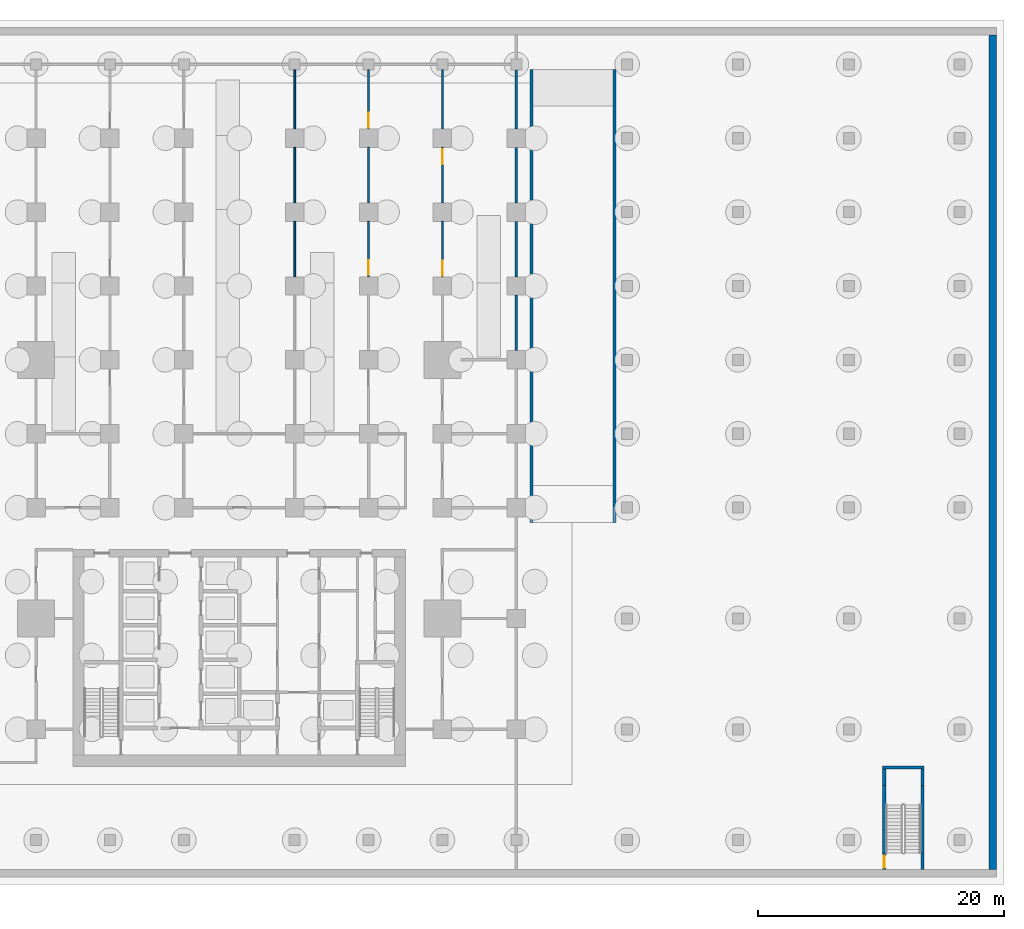
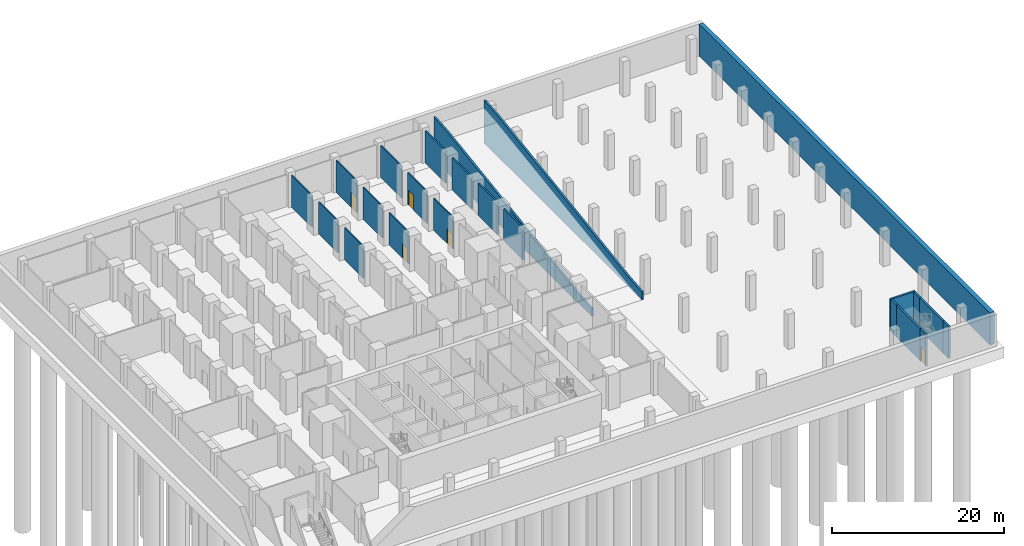
# One storey, part 9 of 12: 23 walls, 5 doors, 5 openings.
"""IFC4 building model written with IfcOpenShell, lengths in metres."""

from ifc_helpers import new_model, si_unit, direction, frame, frame_2d, origin, place, context, subcontext, project, spatial, polyline, rectangle, outline, extrude, material, layer, layer_set, type_object, element, fill, save


model = new_model("IFC4")

# Units and contexts
model_context = context("Model", 3, precision=1e-05, world=origin(), true_north=direction((0.0, 1.0)))
body_context = subcontext(model_context, "Body", "Model", "MODEL_VIEW")
ifc_project = project(units=[si_unit("LENGTHUNIT", "METRE"), si_unit("AREAUNIT", "SQUARE_METRE"), si_unit("VOLUMEUNIT", "CUBIC_METRE"), si_unit("PLANEANGLEUNIT", "RADIAN"), si_unit("MASSUNIT", "GRAM", prefix="KILO")], contexts=[model_context])

# Site, building, storey
site_placement = place(None, origin())
site = spatial("IfcSite", under=ifc_project, at=site_placement, CompositionType="ELEMENT")
building_placement = place(site_placement, origin())
building = spatial("IfcBuilding", under=site, at=building_placement, Name="Finial Court Residences", CompositionType="ELEMENT")
storey_placement = place(building_placement, frame((0.0, 0.0, -5.0)))
storey = spatial("IfcBuildingStorey", under=building, at=storey_placement, Name="B1", CompositionType="ELEMENT", Elevation=-5.0)

# Walls
ifc_material_1 = material(Name="Concrete C25/30", Category="concrete")
ifc_layer_1 = layer(ifc_material_1, 0.14990234375)
ifc_layer_set_1 = layer_set([ifc_layer_1], Name="Basement partition 150 Concrete C25/30")
wall_type_1 = type_object("IfcWallType", Name="Basement partition 150 Concrete C25/30", PredefinedType="PARTITIONING", material=ifc_layer_set_1)
for number, where, z_axis, x_axis, name in (
    (1, (4.5, 14.25, 0.0), (0.0, 0.0, 1.0), (0.0, 1.0, 0.0), "Basement partition B1-V078"),
    (2, (4.5, 20.25, 0.0), (0.0, 0.0, 1.0), (0.0, 1.0, 0.0), "Basement partition B1-V079"),
):
    element("IfcWall", number, at=place(storey_placement, frame(where, z_axis=z_axis, x_axis=x_axis)), inside=storey, type_object=wall_type_1, Name=name, PredefinedType="PARTITIONING", context=body_context, shape_type="SweptSolid", body=[
        extrude(rectangle(XDim=4.5, YDim=0.14990234375, at=frame_2d((2.25, 0.0))), origin(), (0.0, 0.0, 1.0), 4.550048828125),
    ])
wall_1_placement = place(storey_placement, frame((4.5, 26.25, 0.0), z_axis=(0.0, 0.0, 1.0), x_axis=(0.0, 1.0, 0.0)))
element("IfcWall", 3, at=wall_1_placement, inside=storey, type_object=wall_type_1, Name="Basement partition B1-V080", PredefinedType="PARTITIONING", context=body_context, shape_type="SweptSolid", body=[
    extrude(rectangle(XDim=4.800048828125, YDim=0.14990234375, at=frame_2d((2.39990234375, 0.0))), origin(), (0.0, 0.0, 1.0), 4.550048828125),
])

# Wall, opening, door
wall_2_placement = place(storey_placement, frame((10.5, 18.75, 0.0), z_axis=(0.0, 0.0, 1.0), x_axis=(0.0, -1.0, 0.0)))
wall_2 = element("IfcWall", 4, at=wall_2_placement, inside=storey, type_object=wall_type_1, Name="Basement partition B1-V084", PredefinedType="PARTITIONING", context=body_context, shape_type="SweptSolid", body=[
    extrude(rectangle(XDim=4.5, YDim=0.14990234375, at=frame_2d((2.25, 0.0))), origin(), (0.0, 0.0, 1.0), 4.550048828125),
])
opening_1_placement = place(wall_2_placement, frame((3.14990234375, 0.0, 0.0)))
opening_1 = element("IfcOpeningElement", 5, at=opening_1_placement, cuts=wall_2, Name="Opening B1-V16", PredefinedType="OPENING", context=body_context, shape_type="SweptSolid", body=[
    extrude(rectangle(XDim=1.199951171875, YDim=2.10009765625, at=frame_2d((0.60009765625, 1.050048828125))), frame((0.0, 0.0849609375, 0.0), z_axis=(0.0, -1.0, 0.0), x_axis=(1.0, 0.0, 0.0)), (0.0, 0.0, 1.0), 0.169921875),
])
ifc_material_2 = material(Name="Steel fire door", Category="steel")
door_type_1 = type_object("IfcDoorType", Name="Bicycle store door 1200 x 2100 EI 60", OperationType="NOTDEFINED", PredefinedType="DOOR", material=ifc_material_2)
door_1_placement = place(opening_1_placement, origin())
door_1 = element("IfcDoor", 6, at=door_1_placement, inside=storey, type_object=door_type_1, Name="Bicycle store door B1-V16", OperationType="SINGLE_SWING_LEFT", OverallHeight=2.10009765625, OverallWidth=1.199951171875, PredefinedType="DOOR", context=body_context, shape_type="SweptSolid", body=[
    extrude(rectangle(XDim=1.199951171875, YDim=2.10009765625, at=frame_2d((0.60009765625, 1.050048828125))), frame((0.0, 0.02490234375, 0.0), z_axis=(0.0, -1.0, 0.0), x_axis=(1.0, 0.0, 0.0)), (0.0, 0.0, 1.0), 0.050048828125),
])
fill(opening_1, door_1)

# Wall
wall_3_placement = place(storey_placement, frame((10.5, 20.25, 0.0), z_axis=(0.0, 0.0, 1.0), x_axis=(0.0, 1.0, 0.0)))
element("IfcWall", 7, at=wall_3_placement, inside=storey, type_object=wall_type_1, Name="Basement partition B1-V085", PredefinedType="PARTITIONING", context=body_context, shape_type="SweptSolid", body=[
    extrude(rectangle(XDim=4.5, YDim=0.14990234375, at=frame_2d((2.25, 0.0))), origin(), (0.0, 0.0, 1.0), 4.550048828125),
])

# Wall, opening, door
wall_4_placement = place(storey_placement, frame((10.5, 31.050048828125, 0.0), z_axis=(0.0, 0.0, 1.0), x_axis=(0.0, -1.0, 0.0)))
wall_4 = element("IfcWall", 8, at=wall_4_placement, inside=storey, type_object=wall_type_1, Name="Basement partition B1-V086", PredefinedType="PARTITIONING", context=body_context, shape_type="SweptSolid", body=[
    extrude(rectangle(XDim=4.800048828125, YDim=0.14990234375, at=frame_2d((2.39990234375, 0.0))), origin(), (0.0, 0.0, 1.0), 4.550048828125),
])
opening_2_placement = place(wall_4_placement, frame((3.5, 0.0, 0.0)))
opening_2 = element("IfcOpeningElement", 9, at=opening_2_placement, cuts=wall_4, Name="Opening B1-V17", PredefinedType="OPENING", context=body_context, shape_type="SweptSolid", body=[
    extrude(rectangle(XDim=1.199951171875, YDim=2.10009765625, at=frame_2d((0.60009765625, 1.050048828125))), frame((0.0, 0.0849609375, 0.0), z_axis=(0.0, -1.0, 0.0), x_axis=(1.0, 0.0, 0.0)), (0.0, 0.0, 1.0), 0.169921875),
])
door_2_placement = place(opening_2_placement, origin())
door_2 = element("IfcDoor", 10, at=door_2_placement, inside=storey, type_object=door_type_1, Name="Bicycle store door B1-V17", OperationType="SINGLE_SWING_LEFT", OverallHeight=2.10009765625, OverallWidth=1.199951171875, PredefinedType="DOOR", context=body_context, shape_type="SweptSolid", body=[
    extrude(rectangle(XDim=1.199951171875, YDim=2.10009765625, at=frame_2d((0.60009765625, 1.050048828125))), frame((0.0, 0.02490234375, 0.0), z_axis=(0.0, -1.0, 0.0), x_axis=(1.0, 0.0, 0.0)), (0.0, 0.0, 1.0), 0.050048828125),
])
fill(opening_2, door_2)

wall_5_placement = place(storey_placement, frame((16.5, 14.25, 0.0), z_axis=(0.0, 0.0, 1.0), x_axis=(0.0, 1.0, 0.0)))
wall_5 = element("IfcWall", 11, at=wall_5_placement, inside=storey, type_object=wall_type_1, Name="Basement partition B1-V093", PredefinedType="PARTITIONING", context=body_context, shape_type="SweptSolid", body=[
    extrude(rectangle(XDim=4.5, YDim=0.14990234375, at=frame_2d((2.25, 0.0))), origin(), (0.0, 0.0, 1.0), 4.550048828125),
])
opening_3_placement = place(wall_5_placement, frame((0.10009765625, 0.0, 0.0)))
opening_3 = element("IfcOpeningElement", 12, at=opening_3_placement, cuts=wall_5, Name="Opening B1-V18", PredefinedType="OPENING", context=body_context, shape_type="SweptSolid", body=[
    extrude(rectangle(XDim=1.199951171875, YDim=2.10009765625, at=frame_2d((0.60009765625, 1.050048828125))), frame((0.0, 0.0849609375, 0.0), z_axis=(0.0, -1.0, 0.0), x_axis=(1.0, 0.0, 0.0)), (0.0, 0.0, 1.0), 0.169921875),
])
door_3_placement = place(opening_3_placement, origin())
door_3 = element("IfcDoor", 13, at=door_3_placement, inside=storey, type_object=door_type_1, Name="Bicycle store door B1-V18", OperationType="SINGLE_SWING_RIGHT", OverallHeight=2.10009765625, OverallWidth=1.199951171875, PredefinedType="DOOR", context=body_context, shape_type="SweptSolid", body=[
    extrude(rectangle(XDim=1.199951171875, YDim=2.10009765625, at=frame_2d((0.60009765625, 1.050048828125))), frame((0.0, 0.02490234375, 0.0), z_axis=(0.0, -1.0, 0.0), x_axis=(1.0, 0.0, 0.0)), (0.0, 0.0, 1.0), 0.050048828125),
])
fill(opening_3, door_3)

wall_6_placement = place(storey_placement, frame((16.5, 20.25, 0.0), z_axis=(0.0, 0.0, 1.0), x_axis=(0.0, 1.0, 0.0)))
wall_6 = element("IfcWall", 14, at=wall_6_placement, inside=storey, type_object=wall_type_1, Name="Basement partition B1-V094", PredefinedType="PARTITIONING", context=body_context, shape_type="SweptSolid", body=[
    extrude(rectangle(XDim=4.5, YDim=0.14990234375, at=frame_2d((2.25, 0.0))), origin(), (0.0, 0.0, 1.0), 4.550048828125),
])
opening_4_placement = place(wall_6_placement, frame((3.14990234375, 0.0, 0.0)))
opening_4 = element("IfcOpeningElement", 15, at=opening_4_placement, cuts=wall_6, Name="Opening B1-V19", PredefinedType="OPENING", context=body_context, shape_type="SweptSolid", body=[
    extrude(rectangle(XDim=1.199951171875, YDim=2.10009765625, at=frame_2d((0.60009765625, 1.050048828125))), frame((0.0, 0.0849609375, 0.0), z_axis=(0.0, -1.0, 0.0), x_axis=(1.0, 0.0, 0.0)), (0.0, 0.0, 1.0), 0.169921875),
])
door_4_placement = place(opening_4_placement, origin())
door_4 = element("IfcDoor", 16, at=door_4_placement, inside=storey, type_object=door_type_1, Name="Bicycle store door B1-V19", OperationType="SINGLE_SWING_RIGHT", OverallHeight=2.10009765625, OverallWidth=1.199951171875, PredefinedType="DOOR", context=body_context, shape_type="SweptSolid", body=[
    extrude(rectangle(XDim=1.199951171875, YDim=2.10009765625, at=frame_2d((0.60009765625, 1.050048828125))), frame((0.0, 0.02490234375, 0.0), z_axis=(0.0, -1.0, 0.0), x_axis=(1.0, 0.0, 0.0)), (0.0, 0.0, 1.0), 0.050048828125),
])
fill(opening_4, door_4)

# Walls
wall_7_placement = place(storey_placement, frame((16.5, 26.25, 0.0), z_axis=(0.0, 0.0, 1.0), x_axis=(0.0, 1.0, 0.0)))
element("IfcWall", 17, at=wall_7_placement, inside=storey, type_object=wall_type_1, Name="Basement partition B1-V095", PredefinedType="PARTITIONING", context=body_context, shape_type="SweptSolid", body=[
    extrude(rectangle(XDim=4.800048828125, YDim=0.14990234375, at=frame_2d((2.39990234375, 0.0))), origin(), (0.0, 0.0, 1.0), 4.550048828125),
])
ifc_material_3 = material(Name="Concrete C40/50", Category="concrete")
ifc_layer_2 = layer(ifc_material_3, 0.60009765625)
ifc_layer_set_2 = layer_set([ifc_layer_2], Name="Basement retaining wall 600 Concrete C40/50")
wall_type_2 = type_object("IfcWallType", Name="Basement retaining wall 600 Concrete C40/50", PredefinedType="SOLIDWALL", material=ifc_layer_set_2)
wall_8_placement = place(storey_placement, frame((61.199951171875, -33.89990234375, 0.0), z_axis=(0.0, 0.0, 1.0), x_axis=(0.0, 1.0, 0.0)))
element("IfcWall", 18, at=wall_8_placement, inside=storey, type_object=wall_type_2, Name="S:RW:E", PredefinedType="SOLIDWALL", context=body_context, shape_type="SweptSolid", body=[
    extrude(rectangle(XDim=67.7998046875, YDim=0.60009765625, at=frame_2d((33.89990234375, 0.0))), origin(), (0.0, 0.0, 1.0), 4.550048828125),
])
ifc_material_4 = material(Name="Concrete C32/40", Category="concrete")
ifc_layer_3 = layer(ifc_material_4, 0.199951171875)
ifc_layer_set_3 = layer_set([ifc_layer_3], Name="Garage separation wall 200 Concrete C32/40")
wall_type_3 = type_object("IfcWallType", Name="Garage separation wall 200 Concrete C32/40", PredefinedType="SOLIDWALL", material=ifc_layer_set_3)
for number, where, z_axis, x_axis, name in (
    (19, (22.5, 8.25, 0.0), (0.0, 0.0, 1.0), (0.0, 1.0, 0.0), "Garage separation wall B1-V103"),
    (20, (22.5, 14.25, 0.0), (0.0, 0.0, 1.0), (0.0, 1.0, 0.0), "Garage separation wall B1-V104"),
    (21, (22.5, 20.25, 0.0), (0.0, 0.0, 1.0), (0.0, 1.0, 0.0), "Garage separation wall B1-V105"),
):
    element("IfcWall", number, at=place(storey_placement, frame(where, z_axis=z_axis, x_axis=x_axis)), inside=storey, type_object=wall_type_3, Name=name, PredefinedType="SOLIDWALL", context=body_context, shape_type="SweptSolid", body=[
        extrude(rectangle(XDim=4.5, YDim=0.199951171875, at=frame_2d((2.25, 0.0))), origin(), (0.0, 0.0, 1.0), 4.550048828125),
    ])
wall_9_placement = place(storey_placement, frame((22.5, 26.25, 0.0), z_axis=(0.0, 0.0, 1.0), x_axis=(0.0, 1.0, 0.0)))
element("IfcWall", 22, at=wall_9_placement, inside=storey, type_object=wall_type_3, Name="Garage separation wall B1-V106", PredefinedType="SOLIDWALL", context=body_context, shape_type="SweptSolid", body=[
    extrude(rectangle(XDim=4.800048828125, YDim=0.199951171875, at=frame_2d((2.39990234375, 0.0))), origin(), (0.0, 0.0, 1.0), 4.550048828125),
])
ifc_layer_4 = layer(ifc_material_4, 0.25)
ifc_layer_set_4 = layer_set([ifc_layer_4], Name="Ramp parapet 250 Concrete C32/40")
wall_type_4 = type_object("IfcWallType", Name="Ramp parapet 250 Concrete C32/40", PredefinedType="SOLIDWALL", material=ifc_layer_set_4)
for number, where, z_axis, x_axis, name in (
    (23, (23.72509765625, 31.10009765625, 0.0), (0.0, 0.0, 1.0), (0.0, -1.0, 0.0), "Ramp parapet W"),
    (24, (30.47509765625, 31.10009765625, 0.0), (0.0, 0.0, 1.0), (0.0, -1.0, 0.0), "Ramp parapet E"),
):
    element("IfcWall", number, at=place(storey_placement, frame(where, z_axis=z_axis, x_axis=x_axis)), inside=storey, type_object=wall_type_4, Name=name, PredefinedType="SOLIDWALL", context=body_context, shape_type="SweptSolid", body=[
        extrude(outline(polyline([(0.0, 0.0), (36.7900390625, 0.0), (36.7900390625, 1.10009765625), (33.7900390625, 1.35009765625), (3.0, 5.85009765625), (0.0, 6.10009765625), (0.0, 0.0)])), frame((0.0, 0.125, 0.0), z_axis=(0.0, -1.0, 0.0), x_axis=(1.0, 0.0, 0.0)), (0.0, 0.0, 1.0), 0.25),
    ])

# Wall, opening, door
ifc_material_5 = material(Name="Concrete C50/60", Category="concrete")
ifc_layer_5 = layer(ifc_material_5, 0.25)
ifc_layer_set_5 = layer_set([ifc_layer_5], Name="Stair enclosure wall 250 Concrete C50/60")
wall_type_5 = type_object("IfcWallType", Name="Stair enclosure wall 250 Concrete C50/60", PredefinedType="SHEAR", material=ifc_layer_set_5)
wall_10_placement = place(storey_placement, frame((52.375, -32.550048828125, 0.0), z_axis=(0.0, 0.0, 1.0), x_axis=(0.0, -1.0, 0.0)))
wall_10 = element("IfcWall", 25, at=wall_10_placement, inside=storey, type_object=wall_type_5, Name="Exit Stair 3 enclosure wall B1-W1", PredefinedType="SHEAR", context=body_context, shape_type="SweptSolid", body=[
    extrude(rectangle(XDim=1.349853515625, YDim=0.25, at=frame_2d((0.6748046875, 0.0))), origin(), (0.0, 0.0, 1.0), 4.550048828125),
])
opening_5_placement = place(wall_10_placement, frame((0.199951171875, 0.0, 0.0)))
opening_5 = element("IfcOpeningElement", 26, at=opening_5_placement, cuts=wall_10, Name="Opening B1-S3", PredefinedType="OPENING", context=body_context, shape_type="SweptSolid", body=[
    extrude(rectangle(XDim=1.0, YDim=2.10009765625, at=frame_2d((0.5, 1.050048828125))), frame((0.0, 0.135009765625, 0.0), z_axis=(0.0, -1.0, 0.0), x_axis=(1.0, 0.0, 0.0)), (0.0, 0.0, 1.0), 0.27001953125),
])
door_type_2 = type_object("IfcDoorType", Name="Stair door 1000 x 2100 EI 90", OperationType="NOTDEFINED", PredefinedType="DOOR", material=ifc_material_2)
door_5_placement = place(opening_5_placement, origin())
door_5 = element("IfcDoor", 27, at=door_5_placement, inside=storey, type_object=door_type_2, Name="Exit Stair 3 door B1", OperationType="SINGLE_SWING_RIGHT", OverallHeight=2.10009765625, OverallWidth=1.0, PredefinedType="DOOR", context=body_context, shape_type="SweptSolid", body=[
    extrude(rectangle(XDim=1.0, YDim=2.10009765625, at=frame_2d((0.5, 1.050048828125))), frame((0.0, 0.02490234375, 0.0), z_axis=(0.0, -1.0, 0.0), x_axis=(1.0, 0.0, 0.0)), (0.0, 0.0, 1.0), 0.050048828125),
])
fill(opening_5, door_5)

# Walls
wall_11_placement = place(storey_placement, frame((52.375, -32.550048828125, 0.0), z_axis=(0.0, 0.0, 1.0), x_axis=(0.0, 1.0, 0.0)))
element("IfcWall", 28, at=wall_11_placement, inside=storey, type_object=wall_type_5, Name="Exit Stair 3 enclosure wall B1-W2", PredefinedType="SHEAR", context=body_context, shape_type="SweptSolid", body=[
    extrude(rectangle(XDim=5.47998046875, YDim=0.25, at=frame_2d((2.739990234375, 0.0))), origin(), (0.0, 0.0, 1.0), 4.550048828125),
])
wall_12_placement = place(storey_placement, frame((52.375, -27.070068359375, 0.0), z_axis=(0.0, 0.0, 1.0), x_axis=(0.0, 1.0, 0.0)))
element("IfcWall", 29, at=wall_12_placement, inside=storey, type_object=wall_type_5, Name="Exit Stair 3 enclosure wall B1-W3", PredefinedType="SHEAR", context=body_context, shape_type="SweptSolid", body=[
    extrude(rectangle(XDim=1.35009765625, YDim=0.25, at=frame_2d((0.675048828125, 0.0))), origin(), (0.0, 0.0, 1.0), 4.550048828125),
])
wall_13_placement = place(storey_placement, frame((55.47509765625, -33.89990234375, 0.0), z_axis=(0.0, 0.0, 1.0), x_axis=(0.0, 1.0, 0.0)))
element("IfcWall", 30, at=wall_13_placement, inside=storey, type_object=wall_type_5, Name="Exit Stair 3 enclosure wall B1-E1", PredefinedType="SHEAR", context=body_context, shape_type="SweptSolid", body=[
    extrude(rectangle(XDim=1.349853515625, YDim=0.25, at=frame_2d((0.6748046875, 0.0))), origin(), (0.0, 0.0, 1.0), 4.550048828125),
])
wall_14_placement = place(storey_placement, frame((55.47509765625, -32.550048828125, 0.0), z_axis=(0.0, 0.0, 1.0), x_axis=(0.0, 1.0, 0.0)))
element("IfcWall", 31, at=wall_14_placement, inside=storey, type_object=wall_type_5, Name="Exit Stair 3 enclosure wall B1-E2", PredefinedType="SHEAR", context=body_context, shape_type="SweptSolid", body=[
    extrude(rectangle(XDim=5.47998046875, YDim=0.25, at=frame_2d((2.739990234375, 0.0))), origin(), (0.0, 0.0, 1.0), 4.550048828125),
])
wall_15_placement = place(storey_placement, frame((55.47509765625, -27.070068359375, 0.0), z_axis=(0.0, 0.0, 1.0), x_axis=(0.0, 1.0, 0.0)))
element("IfcWall", 32, at=wall_15_placement, inside=storey, type_object=wall_type_5, Name="Exit Stair 3 enclosure wall B1-E3", PredefinedType="SHEAR", context=body_context, shape_type="SweptSolid", body=[
    extrude(rectangle(XDim=1.35009765625, YDim=0.25, at=frame_2d((0.675048828125, 0.0))), origin(), (0.0, 0.0, 1.0), 4.550048828125),
])
wall_16_placement = place(storey_placement, frame((52.25, -25.594970703125, 0.0), z_axis=(0.0, 0.0, 1.0), x_axis=(1.0, 0.0, 0.0)))
element("IfcWall", 33, at=wall_16_placement, inside=storey, type_object=wall_type_5, Name="Exit Stair 3 enclosure wall B1-N", PredefinedType="SHEAR", context=body_context, shape_type="SweptSolid", body=[
    extrude(rectangle(XDim=3.35009765625, YDim=0.25, at=frame_2d((1.675048828125, 0.0))), origin(), (0.0, 0.0, 1.0), 4.550048828125),
])

save(model, "model.ifc")
